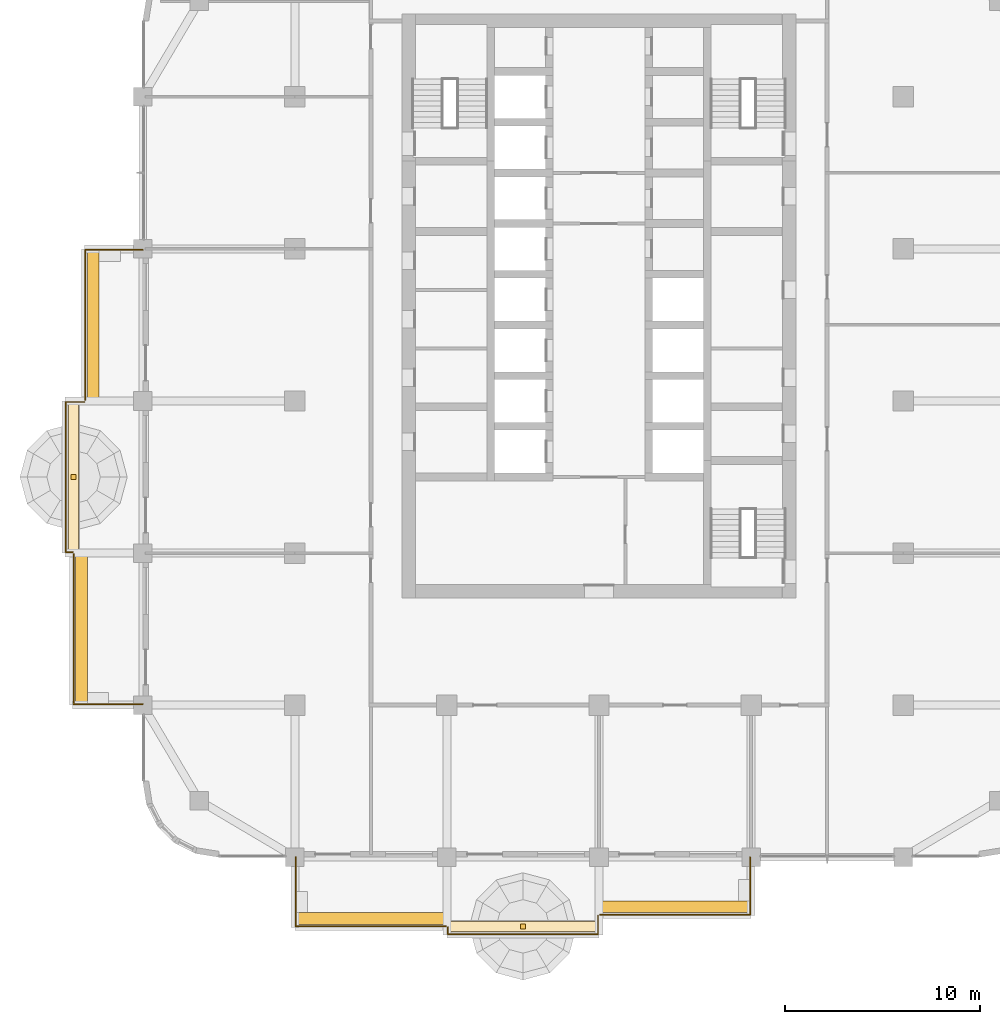
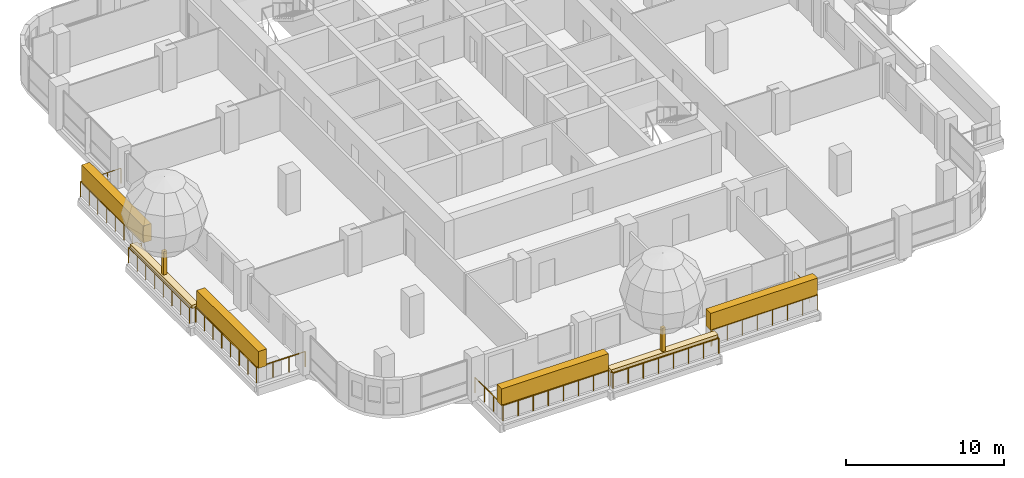
# One storey, part 17 of 21: 8 coverings, 6 railings.
"""IFC4 building model written with IfcOpenShell, lengths in metres."""

from ifc_helpers import new_model, si_unit, direction, frame, origin, origin_2d, place, context, subcontext, project, spatial, rectangle, circle, extrude, material, layer, layer_set, type_object, element, save


model = new_model("IFC4")

# Units and contexts
model_context = context("Model", 3, precision=1e-05, world=origin(), true_north=direction((0.0, 1.0)))
body_context = subcontext(model_context, "Body", "Model", "MODEL_VIEW")
ifc_project = project(units=[si_unit("LENGTHUNIT", "METRE"), si_unit("AREAUNIT", "SQUARE_METRE"), si_unit("VOLUMEUNIT", "CUBIC_METRE"), si_unit("PLANEANGLEUNIT", "RADIAN"), si_unit("MASSUNIT", "GRAM", prefix="KILO")], contexts=[model_context])

# Site, building, storey
site_placement = place(None, origin())
site = spatial("IfcSite", under=ifc_project, at=site_placement, CompositionType="ELEMENT")
building_placement = place(site_placement, origin())
building = spatial("IfcBuilding", under=site, at=building_placement, Name="Ludao Terraces", CompositionType="ELEMENT")
storey_placement = place(building_placement, frame((0.0, 0.0, 71.60009765625)))
storey = spatial("IfcBuildingStorey", under=building, at=storey_placement, Name="L19", CompositionType="ELEMENT", Elevation=71.60009765625)

# Railings
ifc_material_1 = material(Name="Stainless steel 304", Category="steel")
railing_type = type_object("IfcRailingType", Name="ENV Balcony glass guard 1200", PredefinedType="GUARDRAIL", material=ifc_material_1)
railing_1_placement = place(storey_placement, frame((69.449951171875, 41.60009765625, 0.0)))
element("IfcRailing", 1, at=railing_1_placement, inside=storey, type_object=railing_type, Name="Balcony guard L19 S1", PredefinedType="GUARDRAIL", context=body_context, shape_type="SweptSolid", body=[
    extrude(circle(Radius=0.02392578125, at=origin_2d()), frame((0.0, 0.0, 1.17578125), z_axis=(0.0, -1.0, 0.0), x_axis=(1.0, 0.0, 0.0)), (0.0, 0.0, 1.0), 3.550048828125),
    extrude(circle(Radius=0.02392578125, at=origin_2d()), frame((0.0, -3.550048828125, 1.17578125), z_axis=(1.0, 0.0, 0.0), x_axis=(0.0, 1.0, 0.0)), (0.0, 0.0, 1.0), 7.699951171875),
    extrude(circle(Radius=0.02099609375, at=origin_2d()), origin(), (0.0, 0.0, 1.0), 1.15185546875),
    extrude(circle(Radius=0.02099609375, at=origin_2d()), frame((0.0, -1.183349609375, 0.0)), (0.0, 0.0, 1.0), 1.15185546875),
    extrude(circle(Radius=0.02099609375, at=origin_2d()), frame((0.0, -2.36669921875, 0.0)), (0.0, 0.0, 1.0), 1.15185546875),
    extrude(circle(Radius=0.02099609375, at=origin_2d()), frame((0.0, -3.550048828125, 0.0)), (0.0, 0.0, 1.0), 1.15185546875),
    extrude(circle(Radius=0.02099609375, at=origin_2d()), frame((1.10009765625, -3.550048828125, 0.0)), (0.0, 0.0, 1.0), 1.15185546875),
    extrude(circle(Radius=0.02099609375, at=origin_2d()), frame((2.199951171875, -3.550048828125, 0.0)), (0.0, 0.0, 1.0), 1.15185546875),
    extrude(circle(Radius=0.02099609375, at=origin_2d()), frame((3.300048828125, -3.550048828125, 0.0)), (0.0, 0.0, 1.0), 1.15185546875),
    extrude(circle(Radius=0.02099609375, at=origin_2d()), frame((4.39990234375, -3.550048828125, 0.0)), (0.0, 0.0, 1.0), 1.15185546875),
    extrude(circle(Radius=0.02099609375, at=origin_2d()), frame((5.5, -3.550048828125, 0.0)), (0.0, 0.0, 1.0), 1.15185546875),
    extrude(circle(Radius=0.02099609375, at=origin_2d()), frame((6.599853515625, -3.550048828125, 0.0)), (0.0, 0.0, 1.0), 1.15185546875),
    extrude(circle(Radius=0.02099609375, at=origin_2d()), frame((7.699951171875, -3.550048828125, 0.0)), (0.0, 0.0, 1.0), 1.15185546875),
])
railing_2_placement = place(storey_placement, frame((77.25, 38.0, 0.0)))
element("IfcRailing", 2, at=railing_2_placement, inside=storey, type_object=railing_type, Name="Balcony guard L19 S2", PredefinedType="GUARDRAIL", context=body_context, shape_type="SweptSolid", body=[
    extrude(circle(Radius=0.02392578125, at=origin_2d()), frame((0.0, 0.0, 1.17578125), z_axis=(0.0, -1.0, 0.0), x_axis=(1.0, 0.0, 0.0)), (0.0, 0.0, 1.0), 0.35009765625),
    extrude(circle(Radius=0.02392578125, at=origin_2d()), frame((0.0, -0.35009765625, 1.17578125), z_axis=(1.0, 0.0, 0.0), x_axis=(0.0, 1.0, 0.0)), (0.0, 0.0, 1.0), 7.699951171875),
    extrude(circle(Radius=0.02392578125, at=origin_2d()), frame((7.699951171875, -0.35009765625, 1.17578125), z_axis=(0.0, 1.0, 0.0), x_axis=(-1.0, 0.0, 0.0)), (0.0, 0.0, 1.0), 0.9501953125),
    extrude(circle(Radius=0.02099609375, at=origin_2d()), origin(), (0.0, 0.0, 1.0), 1.15185546875),
    extrude(circle(Radius=0.02099609375, at=origin_2d()), frame((0.0, -0.35009765625, 0.0)), (0.0, 0.0, 1.0), 1.15185546875),
    extrude(circle(Radius=0.02099609375, at=origin_2d()), frame((1.10009765625, -0.35009765625, 0.0)), (0.0, 0.0, 1.0), 1.15185546875),
    extrude(circle(Radius=0.02099609375, at=origin_2d()), frame((2.199951171875, -0.35009765625, 0.0)), (0.0, 0.0, 1.0), 1.15185546875),
    extrude(circle(Radius=0.02099609375, at=origin_2d()), frame((3.300048828125, -0.35009765625, 0.0)), (0.0, 0.0, 1.0), 1.15185546875),
    extrude(circle(Radius=0.02099609375, at=origin_2d()), frame((4.39990234375, -0.35009765625, 0.0)), (0.0, 0.0, 1.0), 1.15185546875),
    extrude(circle(Radius=0.02099609375, at=origin_2d()), frame((5.5, -0.35009765625, 0.0)), (0.0, 0.0, 1.0), 1.15185546875),
    extrude(circle(Radius=0.02099609375, at=origin_2d()), frame((6.599853515625, -0.35009765625, 0.0)), (0.0, 0.0, 1.0), 1.15185546875),
    extrude(circle(Radius=0.02099609375, at=origin_2d()), frame((7.699951171875, -0.35009765625, 0.0)), (0.0, 0.0, 1.0), 1.15185546875),
    extrude(circle(Radius=0.02099609375, at=origin_2d()), frame((7.699951171875, 0.60009765625, 0.0)), (0.0, 0.0, 1.0), 1.15185546875),
])
railing_3_placement = place(storey_placement, frame((85.050048828125, 38.64990234375, 0.0)))
element("IfcRailing", 3, at=railing_3_placement, inside=storey, type_object=railing_type, Name="Balcony guard L19 S3", PredefinedType="GUARDRAIL", context=body_context, shape_type="SweptSolid", body=[
    extrude(circle(Radius=0.02392578125, at=origin_2d()), frame((0.0, 0.0, 1.17578125), z_axis=(1.0, 0.0, 0.0), x_axis=(0.0, 1.0, 0.0)), (0.0, 0.0, 1.0), 7.699951171875),
    extrude(circle(Radius=0.02392578125, at=origin_2d()), frame((7.699951171875, 0.0, 1.17578125), z_axis=(0.0, 1.0, 0.0), x_axis=(-1.0, 0.0, 0.0)), (0.0, 0.0, 1.0), 2.9501953125),
    extrude(circle(Radius=0.02099609375, at=origin_2d()), origin(), (0.0, 0.0, 1.0), 1.15185546875),
    extrude(circle(Radius=0.02099609375, at=origin_2d()), frame((1.10009765625, 0.0, 0.0)), (0.0, 0.0, 1.0), 1.15185546875),
    extrude(circle(Radius=0.02099609375, at=origin_2d()), frame((2.199951171875, 0.0, 0.0)), (0.0, 0.0, 1.0), 1.15185546875),
    extrude(circle(Radius=0.02099609375, at=origin_2d()), frame((3.300048828125, 0.0, 0.0)), (0.0, 0.0, 1.0), 1.15185546875),
    extrude(circle(Radius=0.02099609375, at=origin_2d()), frame((4.39990234375, 0.0, 0.0)), (0.0, 0.0, 1.0), 1.15185546875),
    extrude(circle(Radius=0.02099609375, at=origin_2d()), frame((5.5, 0.0, 0.0)), (0.0, 0.0, 1.0), 1.15185546875),
    extrude(circle(Radius=0.02099609375, at=origin_2d()), frame((6.599853515625, 0.0, 0.0)), (0.0, 0.0, 1.0), 1.15185546875),
    extrude(circle(Radius=0.02099609375, at=origin_2d()), frame((7.699951171875, 0.0, 0.0)), (0.0, 0.0, 1.0), 1.15185546875),
    extrude(circle(Radius=0.02099609375, at=origin_2d()), frame((7.699951171875, 0.9833984375, 0.0)), (0.0, 0.0, 1.0), 1.15185546875),
    extrude(circle(Radius=0.02099609375, at=origin_2d()), frame((7.699951171875, 1.966796875, 0.0)), (0.0, 0.0, 1.0), 1.15185546875),
    extrude(circle(Radius=0.02099609375, at=origin_2d()), frame((7.699951171875, 2.9501953125, 0.0)), (0.0, 0.0, 1.0), 1.15185546875),
])
railing_4_placement = place(storey_placement, frame((61.60009765625, 49.449951171875, 0.0)))
element("IfcRailing", 4, at=railing_4_placement, inside=storey, type_object=railing_type, Name="Balcony guard L19 W1", PredefinedType="GUARDRAIL", context=body_context, shape_type="SweptSolid", body=[
    extrude(circle(Radius=0.02392578125, at=origin_2d()), frame((0.0, 0.0, 1.17578125), z_axis=(-1.0, 0.0, 0.0), x_axis=(0.0, -1.0, 0.0)), (0.0, 0.0, 1.0), 3.550048828125),
    extrude(circle(Radius=0.02392578125, at=origin_2d()), frame((-3.550048828125, 0.0, 1.17578125), z_axis=(0.0, 1.0, 0.0), x_axis=(-1.0, 0.0, 0.0)), (0.0, 0.0, 1.0), 7.699951171875),
    extrude(circle(Radius=0.02099609375, at=origin_2d()), origin(), (0.0, 0.0, 1.0), 1.15185546875),
    extrude(circle(Radius=0.02099609375, at=origin_2d()), frame((-1.183349609375, 0.0, 0.0)), (0.0, 0.0, 1.0), 1.15185546875),
    extrude(circle(Radius=0.02099609375, at=origin_2d()), frame((-2.36669921875, 0.0, 0.0)), (0.0, 0.0, 1.0), 1.15185546875),
    extrude(circle(Radius=0.02099609375, at=origin_2d()), frame((-3.550048828125, 0.0, 0.0)), (0.0, 0.0, 1.0), 1.15185546875),
    extrude(circle(Radius=0.02099609375, at=origin_2d()), frame((-3.550048828125, 1.10009765625, 0.0)), (0.0, 0.0, 1.0), 1.15185546875),
    extrude(circle(Radius=0.02099609375, at=origin_2d()), frame((-3.550048828125, 2.199951171875, 0.0)), (0.0, 0.0, 1.0), 1.15185546875),
    extrude(circle(Radius=0.02099609375, at=origin_2d()), frame((-3.550048828125, 3.300048828125, 0.0)), (0.0, 0.0, 1.0), 1.15185546875),
    extrude(circle(Radius=0.02099609375, at=origin_2d()), frame((-3.550048828125, 4.39990234375, 0.0)), (0.0, 0.0, 1.0), 1.15185546875),
    extrude(circle(Radius=0.02099609375, at=origin_2d()), frame((-3.550048828125, 5.5, 0.0)), (0.0, 0.0, 1.0), 1.15185546875),
    extrude(circle(Radius=0.02099609375, at=origin_2d()), frame((-3.550048828125, 6.599853515625, 0.0)), (0.0, 0.0, 1.0), 1.15185546875),
    extrude(circle(Radius=0.02099609375, at=origin_2d()), frame((-3.550048828125, 7.699951171875, 0.0)), (0.0, 0.0, 1.0), 1.15185546875),
])
railing_5_placement = place(storey_placement, frame((58.0, 57.25, 0.0)))
element("IfcRailing", 5, at=railing_5_placement, inside=storey, type_object=railing_type, Name="Balcony guard L19 W2", PredefinedType="GUARDRAIL", context=body_context, shape_type="SweptSolid", body=[
    extrude(circle(Radius=0.02392578125, at=origin_2d()), frame((0.0, 0.0, 1.17578125), z_axis=(-1.0, 0.0, 0.0), x_axis=(0.0, -1.0, 0.0)), (0.0, 0.0, 1.0), 0.35009765625),
    extrude(circle(Radius=0.02392578125, at=origin_2d()), frame((-0.35009765625, 0.0, 1.17578125), z_axis=(0.0, 1.0, 0.0), x_axis=(-1.0, 0.0, 0.0)), (0.0, 0.0, 1.0), 7.699951171875),
    extrude(circle(Radius=0.02392578125, at=origin_2d()), frame((-0.35009765625, 7.699951171875, 1.17578125), z_axis=(1.0, 0.0, 0.0), x_axis=(0.0, 1.0, 0.0)), (0.0, 0.0, 1.0), 0.9501953125),
    extrude(circle(Radius=0.02099609375, at=origin_2d()), origin(), (0.0, 0.0, 1.0), 1.15185546875),
    extrude(circle(Radius=0.02099609375, at=origin_2d()), frame((-0.35009765625, 0.0, 0.0)), (0.0, 0.0, 1.0), 1.15185546875),
    extrude(circle(Radius=0.02099609375, at=origin_2d()), frame((-0.35009765625, 1.10009765625, 0.0)), (0.0, 0.0, 1.0), 1.15185546875),
    extrude(circle(Radius=0.02099609375, at=origin_2d()), frame((-0.35009765625, 2.199951171875, 0.0)), (0.0, 0.0, 1.0), 1.15185546875),
    extrude(circle(Radius=0.02099609375, at=origin_2d()), frame((-0.35009765625, 3.300048828125, 0.0)), (0.0, 0.0, 1.0), 1.15185546875),
    extrude(circle(Radius=0.02099609375, at=origin_2d()), frame((-0.35009765625, 4.39990234375, 0.0)), (0.0, 0.0, 1.0), 1.15185546875),
    extrude(circle(Radius=0.02099609375, at=origin_2d()), frame((-0.35009765625, 5.5, 0.0)), (0.0, 0.0, 1.0), 1.15185546875),
    extrude(circle(Radius=0.02099609375, at=origin_2d()), frame((-0.35009765625, 6.599853515625, 0.0)), (0.0, 0.0, 1.0), 1.15185546875),
    extrude(circle(Radius=0.02099609375, at=origin_2d()), frame((-0.35009765625, 7.699951171875, 0.0)), (0.0, 0.0, 1.0), 1.15185546875),
    extrude(circle(Radius=0.02099609375, at=origin_2d()), frame((0.60009765625, 7.699951171875, 0.0)), (0.0, 0.0, 1.0), 1.15185546875),
])
railing_6_placement = place(storey_placement, frame((58.64990234375, 65.050048828125, 0.0)))
element("IfcRailing", 6, at=railing_6_placement, inside=storey, type_object=railing_type, Name="Balcony guard L19 W3", PredefinedType="GUARDRAIL", context=body_context, shape_type="SweptSolid", body=[
    extrude(circle(Radius=0.02392578125, at=origin_2d()), frame((0.0, 0.0, 1.17578125), z_axis=(0.0, 1.0, 0.0), x_axis=(-1.0, 0.0, 0.0)), (0.0, 0.0, 1.0), 7.699951171875),
    extrude(circle(Radius=0.02392578125, at=origin_2d()), frame((0.0, 7.699951171875, 1.17578125), z_axis=(1.0, 0.0, 0.0), x_axis=(0.0, 1.0, 0.0)), (0.0, 0.0, 1.0), 2.9501953125),
    extrude(circle(Radius=0.02099609375, at=origin_2d()), origin(), (0.0, 0.0, 1.0), 1.15185546875),
    extrude(circle(Radius=0.02099609375, at=origin_2d()), frame((0.0, 1.10009765625, 0.0)), (0.0, 0.0, 1.0), 1.15185546875),
    extrude(circle(Radius=0.02099609375, at=origin_2d()), frame((0.0, 2.199951171875, 0.0)), (0.0, 0.0, 1.0), 1.15185546875),
    extrude(circle(Radius=0.02099609375, at=origin_2d()), frame((0.0, 3.300048828125, 0.0)), (0.0, 0.0, 1.0), 1.15185546875),
    extrude(circle(Radius=0.02099609375, at=origin_2d()), frame((0.0, 4.39990234375, 0.0)), (0.0, 0.0, 1.0), 1.15185546875),
    extrude(circle(Radius=0.02099609375, at=origin_2d()), frame((0.0, 5.5, 0.0)), (0.0, 0.0, 1.0), 1.15185546875),
    extrude(circle(Radius=0.02099609375, at=origin_2d()), frame((0.0, 6.599853515625, 0.0)), (0.0, 0.0, 1.0), 1.15185546875),
    extrude(circle(Radius=0.02099609375, at=origin_2d()), frame((0.0, 7.699951171875, 0.0)), (0.0, 0.0, 1.0), 1.15185546875),
    extrude(circle(Radius=0.02099609375, at=origin_2d()), frame((0.9833984375, 7.699951171875, 0.0)), (0.0, 0.0, 1.0), 1.15185546875),
    extrude(circle(Radius=0.02099609375, at=origin_2d()), frame((1.966796875, 7.699951171875, 0.0)), (0.0, 0.0, 1.0), 1.15185546875),
    extrude(circle(Radius=0.02099609375, at=origin_2d()), frame((2.9501953125, 7.699951171875, 0.0)), (0.0, 0.0, 1.0), 1.15185546875),
])

# Coverings
ifc_material_2 = material(Name="Planting")
ifc_layer_1 = layer(ifc_material_2, 0.5)
ifc_layer_set_1 = layer_set([ifc_layer_1], Name="ENV Planting bed 250")
covering_type_1 = type_object("IfcCoveringType", Name="ENV Planting bed 250", PredefinedType="USERDEFINED", material=ifc_layer_set_1)
covering_1_placement = place(storey_placement, frame((81.10009765625, 38.050048828125, 1.099853515625), z_axis=(0.0, 0.0, 1.0), x_axis=(1.0, 0.0, 0.0)))
element("IfcCovering", 7, at=covering_1_placement, inside=storey, type_object=covering_type_1, Name="Planting bed L19-S2", ObjectType="PLANTING", PredefinedType="USERDEFINED", context=body_context, shape_type="SweptSolid", body=[
    extrude(rectangle(XDim=7.800048828125, YDim=0.5, at=origin_2d()), origin(), (0.0, 0.0, 1.0), 0.25),
])
covering_2_placement = place(storey_placement, frame((58.050048828125, 61.10009765625, 1.099853515625), z_axis=(0.0, 0.0, 1.0), x_axis=(1.0, 0.0, 0.0)))
element("IfcCovering", 8, at=covering_2_placement, inside=storey, type_object=covering_type_1, Name="Planting bed L19-W2", ObjectType="PLANTING", PredefinedType="USERDEFINED", context=body_context, shape_type="SweptSolid", body=[
    extrude(rectangle(XDim=0.5, YDim=7.800048828125, at=origin_2d()), origin(), (0.0, 0.0, 1.0), 0.25),
])
ifc_layer_2 = layer(ifc_material_2, 0.60009765625)
ifc_layer_set_2 = layer_set([ifc_layer_2], Name="ENV Planting hedge 600x1300")
covering_type_2 = type_object("IfcCoveringType", Name="ENV Planting hedge 600x1300", PredefinedType="USERDEFINED", material=ifc_layer_set_2)
for number, where, z_axis, x_axis, name in (
    (9, (73.300048828125, 38.449951171875, 1.10009765625), (0.0, 0.0, 1.0), (1.0, 0.0, 0.0), "Planting hedge L19-S1"),
    (10, (88.89990234375, 39.050048828125, 1.10009765625), (0.0, 0.0, 1.0), (1.0, 0.0, 0.0), "Planting hedge L19-S3"),
):
    element("IfcCovering", number, at=place(storey_placement, frame(where, z_axis=z_axis, x_axis=x_axis)), inside=storey, type_object=covering_type_2, Name=name, ObjectType="PLANTING", PredefinedType="USERDEFINED", context=body_context, shape_type="SweptSolid", body=[
        extrude(rectangle(XDim=7.800048828125, YDim=0.60009765625, at=origin_2d()), origin(), (0.0, 0.0, 1.0), 1.300048828125),
    ])
for number, where, z_axis, x_axis, name in (
    (11, (58.449951171875, 53.300048828125, 1.10009765625), (0.0, 0.0, 1.0), (1.0, 0.0, 0.0), "Planting hedge L19-W1"),
    (12, (59.050048828125, 68.89990234375, 1.10009765625), (0.0, 0.0, 1.0), (1.0, 0.0, 0.0), "Planting hedge L19-W3"),
):
    element("IfcCovering", number, at=place(storey_placement, frame(where, z_axis=z_axis, x_axis=x_axis)), inside=storey, type_object=covering_type_2, Name=name, ObjectType="PLANTING", PredefinedType="USERDEFINED", context=body_context, shape_type="SweptSolid", body=[
        extrude(rectangle(XDim=0.60009765625, YDim=7.800048828125, at=origin_2d()), origin(), (0.0, 0.0, 1.0), 1.300048828125),
    ])
ifc_material_3 = material(Name="Timber tree trunk", Category="wood")
ifc_layer_3 = layer(ifc_material_3, 0.25)
ifc_layer_set_3 = layer_set([ifc_layer_3], Name="ENV Tree trunk 250x1800")
covering_type_3 = type_object("IfcCoveringType", Name="ENV Tree trunk 250x1800", PredefinedType="USERDEFINED", material=ifc_layer_set_3)
for number, where, z_axis, x_axis, name in (
    (13, (81.10009765625, 38.050048828125, 1.35009765625), (0.0, 0.0, 1.0), (1.0, 0.0, 0.0), "Tree trunk L19 S2"),
    (14, (58.050048828125, 61.10009765625, 1.35009765625), (0.0, 0.0, 1.0), (1.0, 0.0, 0.0), "Tree trunk L19 W2"),
):
    element("IfcCovering", number, at=place(storey_placement, frame(where, z_axis=z_axis, x_axis=x_axis)), inside=storey, type_object=covering_type_3, Name=name, ObjectType="PLANTING", PredefinedType="USERDEFINED", context=body_context, shape_type="SweptSolid", body=[
        extrude(rectangle(XDim=0.25, YDim=0.25, at=origin_2d()), origin(), (0.0, 0.0, 1.0), 1.800048828125),
    ])

save(model, "model.ifc")
